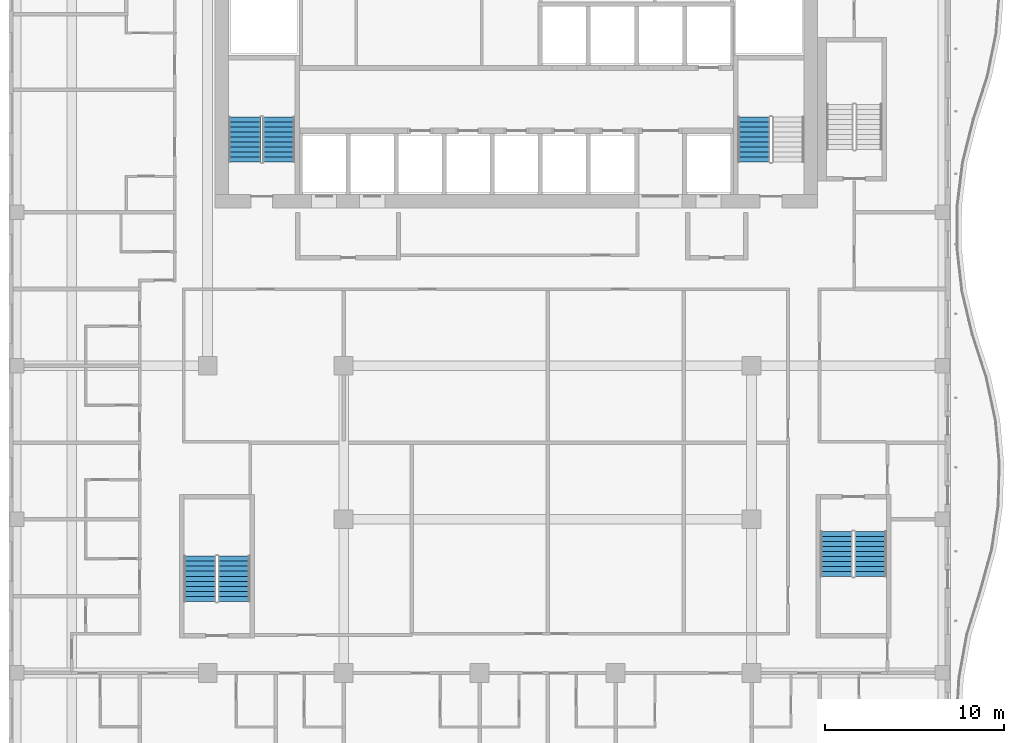
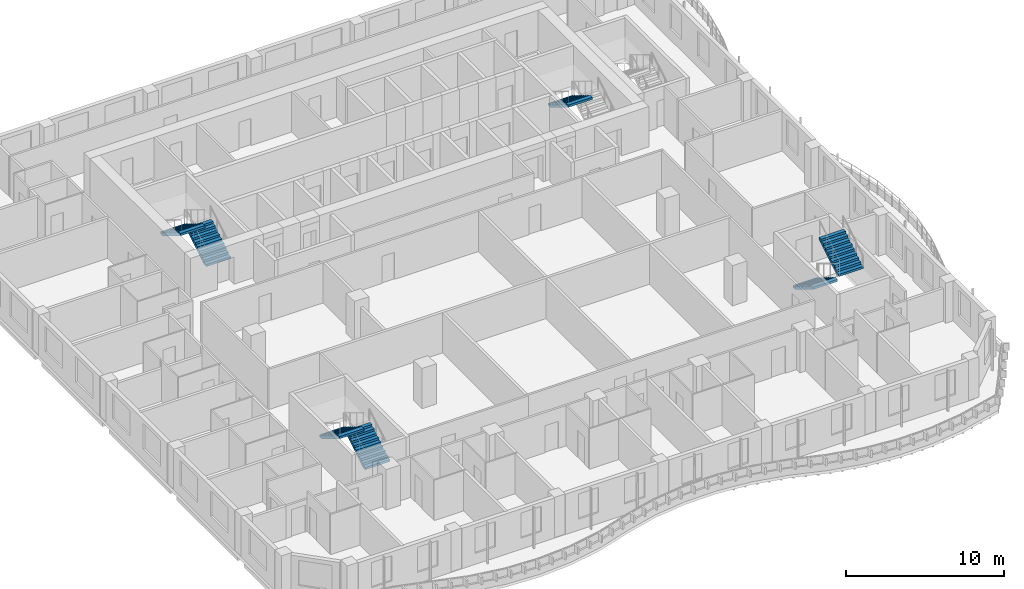
# One storey, part 11 of 21: 7 stair flights, 4 elements without a shape of their own.
"""IFC4 building model written with IfcOpenShell, lengths in metres."""

import ifcopenshell
import ifcopenshell.guid

model = None  # the IFC model being written
_history = None  # IfcOwnerHistory: only IFC2X3 demands one
_inside = {}  # id of a spatial element -> (the spatial element, [elements in it])
_under = {}  # id of a project, library or spatial element -> (it, [spatial elements below it])
_declared = {}  # id of a project -> (the project, [libraries it declares])
_typed = {}  # id of a type object -> (the type object, [elements of that type])
_made_of = {}  # id of a material, layer set ... -> (it, [elements and type objects made of it])


def new_model(schema):
    """Start an empty IFC model of exactly this schema.

    Asked for "IFC4X3", IfcOpenShell would pick the latest addendum, in which some entities
    have other attributes; the version numbers below select the first issue.
    IFC2X3 requires an IfcOwnerHistory on every rooted entity: one is made here for all.
    """
    global model, _history
    if schema == "IFC4X3":
        model = ifcopenshell.file(schema_version=(4, 3, 0, 0))
    else:
        model = ifcopenshell.file(schema=schema)
    _inside.clear()
    _under.clear()
    _declared.clear()
    _typed.clear()
    _made_of.clear()
    _history = None
    if model.schema == "IFC2X3":
        org = make("IfcOrganization", Name="unknown")
        user = make(
            "IfcPersonAndOrganization",
            ThePerson=make("IfcPerson", FamilyName="unknown"),
            TheOrganization=org,
        )
        app = make(
            "IfcApplication",
            ApplicationDeveloper=org,
            Version="unknown",
            ApplicationFullName="unknown",
            ApplicationIdentifier="unknown",
        )
        _history = make(
            "IfcOwnerHistory",
            OwningUser=user,
            OwningApplication=app,
            ChangeAction="ADDED",
            CreationDate=0,
        )
    return model


def make(cls, **values):
    """One entity of the class cls with the attributes given. An attribute that is None is left unset."""
    return model.create_entity(
        cls, **{name: value for name, value in values.items() if value is not None}
    )


def rooted(cls, **values):
    """An entity with a GlobalId (a new one), such as an element, a storey or a relation."""
    return make(cls, GlobalId=ifcopenshell.guid.new(), OwnerHistory=_history, **values)


def si_unit(unit_type, name, prefix=None):
    """IfcSIUnit, for example si_unit("LENGTHUNIT", "METRE", prefix="MILLI")."""
    return make("IfcSIUnit", UnitType=unit_type, Prefix=prefix, Name=name)


def assignment(units):
    """IfcUnitAssignment: the units of a project."""
    return None if units is None else make("IfcUnitAssignment", Units=units)


def point(xyz):
    """IfcCartesianPoint."""
    return None if xyz is None else make("IfcCartesianPoint", Coordinates=xyz)


def direction(xyz):
    """IfcDirection."""
    return None if xyz is None else make("IfcDirection", DirectionRatios=xyz)


def frame(location, z_axis=None, x_axis=None):
    """IfcAxis2Placement3D, a coordinate frame: its origin and axes. An axis left out is left unset."""
    return make(
        "IfcAxis2Placement3D",
        Location=point(location),
        Axis=direction(z_axis),
        RefDirection=direction(x_axis),
    )


def origin():
    """The frame at (0, 0, 0) with its axes left unset."""
    return frame((0.0, 0.0, 0.0))


def place(relative_to, where):
    """IfcLocalPlacement: puts the frame where relative to a parent placement (None: the world)."""
    return make(
        "IfcLocalPlacement", PlacementRelTo=relative_to, RelativePlacement=where
    )


def context(
    kind, dimensions, precision=None, world=None, true_north=None, identifier=None
):
    """IfcGeometricRepresentationContext, for example the 3D "Model" context."""
    return make(
        "IfcGeometricRepresentationContext",
        ContextIdentifier=identifier,
        ContextType=kind,
        CoordinateSpaceDimension=dimensions,
        Precision=precision,
        WorldCoordinateSystem=world,
        TrueNorth=true_north,
    )


def subcontext(parent, identifier, kind, view, scale=None):
    """IfcGeometricRepresentationSubContext, for example "Body" below "Model"."""
    return make(
        "IfcGeometricRepresentationSubContext",
        ContextIdentifier=identifier,
        ContextType=kind,
        ParentContext=parent,
        TargetScale=scale,
        TargetView=view,
    )


def project(units=None, contexts=None):
    """IfcProject with its units and contexts."""
    return rooted(
        "IfcProject",
        Name="project",
        RepresentationContexts=contexts,
        UnitsInContext=assignment(units),
    )


def spatial(cls, under=None, at=None, **own):
    """A site, building, storey or space (cls), placed at a placement, below another one or the project."""
    s = rooted(cls, ObjectPlacement=at, **own)
    if under is not None:
        _under.setdefault(under.id(), (under, []))[1].append(s)
    return s


def point_list(points):
    """IfcCartesianPointList2D or 3D."""
    cls = (
        "IfcCartesianPointList2D" if len(points[0]) == 2 else "IfcCartesianPointList3D"
    )
    return make(cls, CoordList=points)


def triangles(points, corners, closed=None, point_numbers=None):
    """IfcTriangulatedFaceSet: each triangle names its three corners, points numbered from 1."""
    return make(
        "IfcTriangulatedFaceSet",
        Coordinates=point_list(points),
        Closed=closed,
        CoordIndex=corners,
        PnIndex=point_numbers,
    )


def shape(context_of_items, identifier, shape_type, items):
    """IfcShapeRepresentation: the items that make up one representation, for example the "Body"."""
    return make(
        "IfcShapeRepresentation",
        ContextOfItems=context_of_items,
        RepresentationIdentifier=identifier,
        RepresentationType=shape_type,
        Items=items,
    )


def source(mapping_origin, context_of_items, identifier, shape_type, items):
    """IfcRepresentationMap: a shape defined once, which mapped items show again and again."""
    return make(
        "IfcRepresentationMap",
        MappingOrigin=mapping_origin,
        MappedRepresentation=shape(context_of_items, identifier, shape_type, items),
    )


def transform(
    local_origin,
    x_axis=None,
    y_axis=None,
    z_axis=None,
    scale=None,
    scale2=None,
    scale3=None,
    uniform=True,
):
    """IfcCartesianTransformationOperator3D, or its non-uniform kind. x_axis, y_axis, z_axis: its Axis1, 2, 3."""
    if uniform:
        return make(
            "IfcCartesianTransformationOperator3D",
            Axis1=direction(x_axis),
            Axis2=direction(y_axis),
            LocalOrigin=point(local_origin),
            Scale=scale,
            Axis3=direction(z_axis),
        )
    return make(
        "IfcCartesianTransformationOperator3DnonUniform",
        Axis1=direction(x_axis),
        Axis2=direction(y_axis),
        LocalOrigin=point(local_origin),
        Scale=scale,
        Axis3=direction(z_axis),
        Scale2=scale2,
        Scale3=scale3,
    )


def mapped(mapping_source, mapping_target):
    """IfcMappedItem: shows the shape of a source again, moved by a transform."""
    return make(
        "IfcMappedItem", MappingSource=mapping_source, MappingTarget=mapping_target
    )


def material(Name=None, Category=None):
    """IfcMaterial."""
    return make("IfcMaterial", Name=Name, Category=Category)


def made_of(thing, what):
    """Note that an element or type object is made of a material, layer set ...; save() writes the relation."""
    if what is not None:
        _made_of.setdefault(what.id(), (what, []))[1].append(thing)
    return thing


def type_object(cls, material=None, **own):
    """A type object (cls), such as IfcWallType, which elements share."""
    return made_of(rooted(cls, **own), material)


def element(
    cls,
    number,
    at=None,
    inside=None,
    cuts=None,
    type_object=None,
    material=None,
    context=None,
    identifier="Body",
    shape_type=None,
    held_by="IfcProductDefinitionShape",
    body=None,
    shapes=None,
    **own,
):
    """One element of the class cls, such as IfcWall. Its Tag is "e" and its number.

    at: its placement. inside: the storey or other place that contains it. cuts: it is an
    opening in that element (IfcRelVoidsElement). A single representation is given by context,
    identifier, shape_type and body (its items); several are given by shapes. held_by: the class
    of the entity that holds the representations. save() writes the other relations.
    """
    e = rooted(cls, Tag="e%d" % number, ObjectPlacement=at, **own)
    if body is not None:
        shapes = [shape(context, identifier, shape_type, body)]
    if shapes is not None:
        e.Representation = make(held_by, Representations=shapes)
    if inside is not None:
        _inside.setdefault(inside.id(), (inside, []))[1].append(e)
    if cuts is not None:
        rooted(
            "IfcRelVoidsElement", RelatingBuildingElement=cuts, RelatedOpeningElement=e
        )
    if type_object is not None:
        _typed.setdefault(type_object.id(), (type_object, []))[1].append(e)
    return made_of(e, material)


def aggregate(whole, parts):
    """IfcRelAggregates: a whole, such as a stair, and the parts it consists of."""
    return rooted("IfcRelAggregates", RelatingObject=whole, RelatedObjects=parts)


def save(model, path):
    """Write the relations noted so far, then the file.

    IfcRelAggregates (storeys below a building ...), IfcRelContainedInSpatialStructure (elements
    in a storey), IfcRelDefinesByType, IfcRelAssociatesMaterial and IfcRelDeclares: one each for
    every whole, place, type object, material and project.
    """
    for whole, parts in _under.values():
        aggregate(whole, parts)
    for where, things in _inside.values():
        rooted(
            "IfcRelContainedInSpatialStructure",
            RelatedElements=things,
            RelatingStructure=where,
        )
    for kind, things in _typed.values():
        rooted("IfcRelDefinesByType", RelatedObjects=things, RelatingType=kind)
    for what, things in _made_of.values():
        rooted("IfcRelAssociatesMaterial", RelatedObjects=things, RelatingMaterial=what)
    for by, libraries in _declared.values():
        rooted("IfcRelDeclares", RelatingContext=by, RelatedDefinitions=libraries)
    model.write(path)


model = new_model("IFC4")

# Units and contexts
model_context = context("Model", 3, precision=1e-05, world=origin(), true_north=direction((0.0, 1.0)))
body_context = subcontext(model_context, "Body", "Model", "MODEL_VIEW")
ifc_project = project(units=[si_unit("LENGTHUNIT", "METRE"), si_unit("AREAUNIT", "SQUARE_METRE"), si_unit("VOLUMEUNIT", "CUBIC_METRE"), si_unit("PLANEANGLEUNIT", "RADIAN"), si_unit("MASSUNIT", "GRAM", prefix="KILO")], contexts=[model_context])

# Site, building, storey
site_placement = place(None, origin())
site = spatial("IfcSite", under=ifc_project, at=site_placement, CompositionType="ELEMENT")
building_placement = place(site_placement, origin())
building = spatial("IfcBuilding", under=site, at=building_placement, Name="Kilnfold Tower and Market Hall", CompositionType="ELEMENT")
storey_placement = place(building_placement, frame((0.0, 0.0, 185.5)))
storey = spatial("IfcBuildingStorey", under=building, at=storey_placement, Name="L44", CompositionType="ELEMENT", Elevation=185.5)

# Stair, stair flights
ifc_material_1 = material(Name="Concrete C40/50", Category="concrete")
stair_type = type_object("IfcStairType", Name="CORE STAIR 1800", PredefinedType="HALF_TURN_STAIR", material=ifc_material_1)
stair_1_placement = place(storey_placement, origin())
stair_1 = element("IfcStair", 1, at=stair_1_placement, inside=storey, type_object=stair_type, Name="L44 ST1", PredefinedType="HALF_TURN_STAIR")
ifc_material_2 = material(Name="Concrete C40/50", Category="concrete")
stair_flight_type = type_object("IfcStairFlightType", Name="CORE STAIR FLIGHT 1800", PredefinedType="STRAIGHT", material=ifc_material_2)
shared_shape = source(origin(), body_context, "Body", "Tessellation", [
    triangles([(0.0, 0.89990234375, 0.0), (0.0, 0.78759765625, 0.0), (0.0, 0.675048828125, 0.0), (0.0, 0.5625, 0.0), (0.0, 0.449951171875, 0.0), (0.0, 0.33740234375, 0.0), (0.0, 0.22509765625, 0.0), (0.0, 0.112548828125, 0.0), (0.0, 0.0, 0.0), (0.0, -0.112548828125, 0.0), (0.0, -0.22509765625, 0.0), (0.0, -0.33740234375, 0.0), (0.0, -0.449951171875, 0.0), (0.0, -0.5625, 0.0), (0.0, -0.675048828125, 0.0), (0.0, -0.78759765625, 0.0), (0.0, -0.89990234375, 0.0), (0.0, 0.89990234375, 0.169921875), (0.0, 0.78759765625, 0.169921875), (0.0, 0.675048828125, 0.169921875), (0.0, 0.5625, 0.169921875), (0.0, 0.449951171875, 0.169921875), (0.0, 0.33740234375, 0.169921875), (0.0, 0.22509765625, 0.169921875), (0.0, 0.112548828125, 0.169921875), (0.0, 0.0, 0.169921875), (0.0, -0.112548828125, 0.169921875), (0.0, -0.22509765625, 0.169921875), (0.0, -0.33740234375, 0.169921875), (0.0, -0.449951171875, 0.169921875), (0.0, -0.5625, 0.169921875), (0.0, -0.675048828125, 0.169921875), (0.0, -0.78759765625, 0.169921875), (0.0, -0.89990234375, 0.169921875), (0.280029296875, 0.89990234375, 0.169921875), (0.280029296875, 0.78759765625, 0.169921875), (0.280029296875, 0.675048828125, 0.169921875), (0.280029296875, 0.5625, 0.169921875), (0.280029296875, 0.449951171875, 0.169921875), (0.280029296875, 0.33740234375, 0.169921875), (0.280029296875, 0.22509765625, 0.169921875), (0.280029296875, 0.112548828125, 0.169921875), (0.280029296875, 0.0, 0.169921875), (0.280029296875, -0.112548828125, 0.169921875), (0.280029296875, -0.22509765625, 0.169921875), (0.280029296875, -0.33740234375, 0.169921875), (0.280029296875, -0.449951171875, 0.169921875), (0.280029296875, -0.5625, 0.169921875), (0.280029296875, -0.675048828125, 0.169921875), (0.280029296875, -0.78759765625, 0.169921875), (0.280029296875, -0.89990234375, 0.169921875), (0.280029296875, 0.89990234375, 0.340087890625), (0.280029296875, 0.78759765625, 0.340087890625), (0.280029296875, 0.675048828125, 0.340087890625), (0.280029296875, 0.5625, 0.340087890625), (0.280029296875, 0.449951171875, 0.340087890625), (0.280029296875, 0.33740234375, 0.340087890625), (0.280029296875, 0.22509765625, 0.340087890625), (0.280029296875, 0.112548828125, 0.340087890625), (0.280029296875, 0.0, 0.340087890625), (0.280029296875, -0.112548828125, 0.340087890625), (0.280029296875, -0.22509765625, 0.340087890625), (0.280029296875, -0.33740234375, 0.340087890625), (0.280029296875, -0.449951171875, 0.340087890625), (0.280029296875, -0.5625, 0.340087890625), (0.280029296875, -0.675048828125, 0.340087890625), (0.280029296875, -0.78759765625, 0.340087890625), (0.280029296875, -0.89990234375, 0.340087890625), (0.56005859375, 0.89990234375, 0.340087890625), (0.56005859375, 0.78759765625, 0.340087890625), (0.56005859375, 0.675048828125, 0.340087890625), (0.56005859375, 0.5625, 0.340087890625), (0.56005859375, 0.449951171875, 0.340087890625), (0.56005859375, 0.33740234375, 0.340087890625), (0.56005859375, 0.22509765625, 0.340087890625), (0.56005859375, 0.112548828125, 0.340087890625), (0.56005859375, 0.0, 0.340087890625), (0.56005859375, -0.112548828125, 0.340087890625), (0.56005859375, -0.22509765625, 0.340087890625), (0.56005859375, -0.33740234375, 0.340087890625), (0.56005859375, -0.449951171875, 0.340087890625), (0.56005859375, -0.5625, 0.340087890625), (0.56005859375, -0.675048828125, 0.340087890625), (0.56005859375, -0.78759765625, 0.340087890625), (0.56005859375, -0.89990234375, 0.340087890625), (0.56005859375, 0.89990234375, 0.510009765625), (0.56005859375, 0.78759765625, 0.510009765625), (0.56005859375, 0.675048828125, 0.510009765625), (0.56005859375, 0.5625, 0.510009765625), (0.56005859375, 0.449951171875, 0.510009765625), (0.56005859375, 0.33740234375, 0.510009765625), (0.56005859375, 0.22509765625, 0.510009765625), (0.56005859375, 0.112548828125, 0.510009765625), (0.56005859375, 0.0, 0.510009765625), (0.56005859375, -0.112548828125, 0.510009765625), (0.56005859375, -0.22509765625, 0.510009765625), (0.56005859375, -0.33740234375, 0.510009765625), (0.56005859375, -0.449951171875, 0.510009765625), (0.56005859375, -0.5625, 0.510009765625), (0.56005859375, -0.675048828125, 0.510009765625), (0.56005859375, -0.78759765625, 0.510009765625), (0.56005859375, -0.89990234375, 0.510009765625), (0.840087890625, 0.89990234375, 0.510009765625), (0.840087890625, 0.78759765625, 0.510009765625), (0.840087890625, 0.675048828125, 0.510009765625), (0.840087890625, 0.5625, 0.510009765625), (0.840087890625, 0.449951171875, 0.510009765625), (0.840087890625, 0.33740234375, 0.510009765625), (0.840087890625, 0.22509765625, 0.510009765625), (0.840087890625, 0.112548828125, 0.510009765625), (0.840087890625, 0.0, 0.510009765625), (0.840087890625, -0.112548828125, 0.510009765625), (0.840087890625, -0.22509765625, 0.510009765625), (0.840087890625, -0.33740234375, 0.510009765625), (0.840087890625, -0.449951171875, 0.510009765625), (0.840087890625, -0.5625, 0.510009765625), (0.840087890625, -0.675048828125, 0.510009765625), (0.840087890625, -0.78759765625, 0.510009765625), (0.840087890625, -0.89990234375, 0.510009765625), (0.840087890625, 0.89990234375, 0.679931640625), (0.840087890625, 0.78759765625, 0.679931640625), (0.840087890625, 0.675048828125, 0.679931640625), (0.840087890625, 0.5625, 0.679931640625), (0.840087890625, 0.449951171875, 0.679931640625), (0.840087890625, 0.33740234375, 0.679931640625), (0.840087890625, 0.22509765625, 0.679931640625), (0.840087890625, 0.112548828125, 0.679931640625), (0.840087890625, 0.0, 0.679931640625), (0.840087890625, -0.112548828125, 0.679931640625), (0.840087890625, -0.22509765625, 0.679931640625), (0.840087890625, -0.33740234375, 0.679931640625), (0.840087890625, -0.449951171875, 0.679931640625), (0.840087890625, -0.5625, 0.679931640625), (0.840087890625, -0.675048828125, 0.679931640625), (0.840087890625, -0.78759765625, 0.679931640625), (0.840087890625, -0.89990234375, 0.679931640625), (1.1201171875, 0.89990234375, 0.679931640625), (1.1201171875, 0.78759765625, 0.679931640625), (1.1201171875, 0.675048828125, 0.679931640625), (1.1201171875, 0.5625, 0.679931640625), (1.1201171875, 0.449951171875, 0.679931640625), (1.1201171875, 0.33740234375, 0.679931640625), (1.1201171875, 0.22509765625, 0.679931640625), (1.1201171875, 0.112548828125, 0.679931640625), (1.1201171875, 0.0, 0.679931640625), (1.1201171875, -0.112548828125, 0.679931640625), (1.1201171875, -0.22509765625, 0.679931640625), (1.1201171875, -0.33740234375, 0.679931640625), (1.1201171875, -0.449951171875, 0.679931640625), (1.1201171875, -0.5625, 0.679931640625), (1.1201171875, -0.675048828125, 0.679931640625), (1.1201171875, -0.78759765625, 0.679931640625), (1.1201171875, -0.89990234375, 0.679931640625), (1.1201171875, 0.89990234375, 0.85009765625), (1.1201171875, 0.78759765625, 0.85009765625), (1.1201171875, 0.675048828125, 0.85009765625), (1.1201171875, 0.5625, 0.85009765625), (1.1201171875, 0.449951171875, 0.85009765625), (1.1201171875, 0.33740234375, 0.85009765625), (1.1201171875, 0.22509765625, 0.85009765625), (1.1201171875, 0.112548828125, 0.85009765625), (1.1201171875, 0.0, 0.85009765625), (1.1201171875, -0.112548828125, 0.85009765625), (1.1201171875, -0.22509765625, 0.85009765625), (1.1201171875, -0.33740234375, 0.85009765625), (1.1201171875, -0.449951171875, 0.85009765625), (1.1201171875, -0.5625, 0.85009765625), (1.1201171875, -0.675048828125, 0.85009765625), (1.1201171875, -0.78759765625, 0.85009765625), (1.1201171875, -0.89990234375, 0.85009765625), (1.39990234375, 0.89990234375, 0.85009765625), (1.39990234375, 0.78759765625, 0.85009765625), (1.39990234375, 0.675048828125, 0.85009765625), (1.39990234375, 0.5625, 0.85009765625), (1.39990234375, 0.449951171875, 0.85009765625), (1.39990234375, 0.33740234375, 0.85009765625), (1.39990234375, 0.22509765625, 0.85009765625), (1.39990234375, 0.112548828125, 0.85009765625), (1.39990234375, 0.0, 0.85009765625), (1.39990234375, -0.112548828125, 0.85009765625), (1.39990234375, -0.22509765625, 0.85009765625), (1.39990234375, -0.33740234375, 0.85009765625), (1.39990234375, -0.449951171875, 0.85009765625), (1.39990234375, -0.5625, 0.85009765625), (1.39990234375, -0.675048828125, 0.85009765625), (1.39990234375, -0.78759765625, 0.85009765625), (1.39990234375, -0.89990234375, 0.85009765625), (1.39990234375, 0.89990234375, 1.02001953125), (1.39990234375, 0.78759765625, 1.02001953125), (1.39990234375, 0.675048828125, 1.02001953125), (1.39990234375, 0.5625, 1.02001953125), (1.39990234375, 0.449951171875, 1.02001953125), (1.39990234375, 0.33740234375, 1.02001953125), (1.39990234375, 0.22509765625, 1.02001953125), (1.39990234375, 0.112548828125, 1.02001953125), (1.39990234375, 0.0, 1.02001953125), (1.39990234375, -0.112548828125, 1.02001953125), (1.39990234375, -0.22509765625, 1.02001953125), (1.39990234375, -0.33740234375, 1.02001953125), (1.39990234375, -0.449951171875, 1.02001953125), (1.39990234375, -0.5625, 1.02001953125), (1.39990234375, -0.675048828125, 1.02001953125), (1.39990234375, -0.78759765625, 1.02001953125), (1.39990234375, -0.89990234375, 1.02001953125), (1.679931640625, 0.89990234375, 1.02001953125), (1.679931640625, 0.78759765625, 1.02001953125), (1.679931640625, 0.675048828125, 1.02001953125), (1.679931640625, 0.5625, 1.02001953125), (1.679931640625, 0.449951171875, 1.02001953125), (1.679931640625, 0.33740234375, 1.02001953125), (1.679931640625, 0.22509765625, 1.02001953125), (1.679931640625, 0.112548828125, 1.02001953125), (1.679931640625, 0.0, 1.02001953125), (1.679931640625, -0.112548828125, 1.02001953125), (1.679931640625, -0.22509765625, 1.02001953125), (1.679931640625, -0.33740234375, 1.02001953125), (1.679931640625, -0.449951171875, 1.02001953125), (1.679931640625, -0.5625, 1.02001953125), (1.679931640625, -0.675048828125, 1.02001953125), (1.679931640625, -0.78759765625, 1.02001953125), (1.679931640625, -0.89990234375, 1.02001953125), (1.679931640625, 0.89990234375, 1.18994140625), (1.679931640625, 0.78759765625, 1.18994140625), (1.679931640625, 0.675048828125, 1.18994140625), (1.679931640625, 0.5625, 1.18994140625), (1.679931640625, 0.449951171875, 1.18994140625), (1.679931640625, 0.33740234375, 1.18994140625), (1.679931640625, 0.22509765625, 1.18994140625), (1.679931640625, 0.112548828125, 1.18994140625), (1.679931640625, 0.0, 1.18994140625), (1.679931640625, -0.112548828125, 1.18994140625), (1.679931640625, -0.22509765625, 1.18994140625), (1.679931640625, -0.33740234375, 1.18994140625), (1.679931640625, -0.449951171875, 1.18994140625), (1.679931640625, -0.5625, 1.18994140625), (1.679931640625, -0.675048828125, 1.18994140625), (1.679931640625, -0.78759765625, 1.18994140625), (1.679931640625, -0.89990234375, 1.18994140625), (1.9599609375, 0.89990234375, 1.18994140625), (1.9599609375, 0.78759765625, 1.18994140625), (1.9599609375, 0.675048828125, 1.18994140625), (1.9599609375, 0.5625, 1.18994140625), (1.9599609375, 0.449951171875, 1.18994140625), (1.9599609375, 0.33740234375, 1.18994140625), (1.9599609375, 0.22509765625, 1.18994140625), (1.9599609375, 0.112548828125, 1.18994140625), (1.9599609375, 0.0, 1.18994140625), (1.9599609375, -0.112548828125, 1.18994140625), (1.9599609375, -0.22509765625, 1.18994140625), (1.9599609375, -0.33740234375, 1.18994140625), (1.9599609375, -0.449951171875, 1.18994140625), (1.9599609375, -0.5625, 1.18994140625), (1.9599609375, -0.675048828125, 1.18994140625), (1.9599609375, -0.78759765625, 1.18994140625), (1.9599609375, -0.89990234375, 1.18994140625), (1.9599609375, 0.89990234375, 1.360107421875), (1.9599609375, 0.78759765625, 1.360107421875), (1.9599609375, 0.675048828125, 1.360107421875), (1.9599609375, 0.5625, 1.360107421875), (1.9599609375, 0.449951171875, 1.360107421875), (1.9599609375, 0.33740234375, 1.360107421875), (1.9599609375, 0.22509765625, 1.360107421875), (1.9599609375, 0.112548828125, 1.360107421875), (1.9599609375, 0.0, 1.360107421875), (1.9599609375, -0.112548828125, 1.360107421875), (1.9599609375, -0.22509765625, 1.360107421875), (1.9599609375, -0.33740234375, 1.360107421875), (1.9599609375, -0.449951171875, 1.360107421875), (1.9599609375, -0.5625, 1.360107421875), (1.9599609375, -0.675048828125, 1.360107421875), (1.9599609375, -0.78759765625, 1.360107421875), (1.9599609375, -0.89990234375, 1.360107421875), (2.239990234375, 0.89990234375, 1.360107421875), (2.239990234375, 0.78759765625, 1.360107421875), (2.239990234375, 0.675048828125, 1.360107421875), (2.239990234375, 0.5625, 1.360107421875), (2.239990234375, 0.449951171875, 1.360107421875), (2.239990234375, 0.33740234375, 1.360107421875), (2.239990234375, 0.22509765625, 1.360107421875), (2.239990234375, 0.112548828125, 1.360107421875), (2.239990234375, 0.0, 1.360107421875), (2.239990234375, -0.112548828125, 1.360107421875), (2.239990234375, -0.22509765625, 1.360107421875), (2.239990234375, -0.33740234375, 1.360107421875), (2.239990234375, -0.449951171875, 1.360107421875), (2.239990234375, -0.5625, 1.360107421875), (2.239990234375, -0.675048828125, 1.360107421875), (2.239990234375, -0.78759765625, 1.360107421875), (2.239990234375, -0.89990234375, 1.360107421875), (2.239990234375, 0.89990234375, 1.530029296875), (2.239990234375, 0.78759765625, 1.530029296875), (2.239990234375, 0.675048828125, 1.530029296875), (2.239990234375, 0.5625, 1.530029296875), (2.239990234375, 0.449951171875, 1.530029296875), (2.239990234375, 0.33740234375, 1.530029296875), (2.239990234375, 0.22509765625, 1.530029296875), (2.239990234375, 0.112548828125, 1.530029296875), (2.239990234375, 0.0, 1.530029296875), (2.239990234375, -0.112548828125, 1.530029296875), (2.239990234375, -0.22509765625, 1.530029296875), (2.239990234375, -0.33740234375, 1.530029296875), (2.239990234375, -0.449951171875, 1.530029296875), (2.239990234375, -0.5625, 1.530029296875), (2.239990234375, -0.675048828125, 1.530029296875), (2.239990234375, -0.78759765625, 1.530029296875), (2.239990234375, -0.89990234375, 1.530029296875), (2.52001953125, 0.89990234375, 1.530029296875), (2.52001953125, 0.78759765625, 1.530029296875), (2.52001953125, 0.675048828125, 1.530029296875), (2.52001953125, 0.5625, 1.530029296875), (2.52001953125, 0.449951171875, 1.530029296875), (2.52001953125, 0.33740234375, 1.530029296875), (2.52001953125, 0.22509765625, 1.530029296875), (2.52001953125, 0.112548828125, 1.530029296875), (2.52001953125, 0.0, 1.530029296875), (2.52001953125, -0.112548828125, 1.530029296875), (2.52001953125, -0.22509765625, 1.530029296875), (2.52001953125, -0.33740234375, 1.530029296875), (2.52001953125, -0.449951171875, 1.530029296875), (2.52001953125, -0.5625, 1.530029296875), (2.52001953125, -0.675048828125, 1.530029296875), (2.52001953125, -0.78759765625, 1.530029296875), (2.52001953125, -0.89990234375, 1.530029296875), (2.52001953125, 0.89990234375, 1.354736328125), (2.52001953125, 0.78759765625, 1.354736328125), (2.52001953125, 0.675048828125, 1.354736328125), (2.52001953125, 0.5625, 1.354736328125), (2.52001953125, 0.449951171875, 1.354736328125), (2.52001953125, 0.33740234375, 1.354736328125), (2.52001953125, 0.22509765625, 1.354736328125), (2.52001953125, 0.112548828125, 1.354736328125), (2.52001953125, 0.0, 1.354736328125), (2.52001953125, -0.112548828125, 1.354736328125), (2.52001953125, -0.22509765625, 1.354736328125), (2.52001953125, -0.33740234375, 1.354736328125), (2.52001953125, -0.449951171875, 1.354736328125), (2.52001953125, -0.5625, 1.354736328125), (2.52001953125, -0.675048828125, 1.354736328125), (2.52001953125, -0.78759765625, 1.354736328125), (2.52001953125, -0.89990234375, 1.354736328125), (0.288818359375, 0.89990234375, 0.0), (0.288818359375, 0.78759765625, 0.0), (0.288818359375, 0.675048828125, 0.0), (0.288818359375, 0.5625, 0.0), (0.288818359375, 0.449951171875, 0.0), (0.288818359375, 0.33740234375, 0.0), (0.288818359375, 0.22509765625, 0.0), (0.288818359375, 0.112548828125, 0.0), (0.288818359375, 0.0, 0.0), (0.288818359375, -0.112548828125, 0.0), (0.288818359375, -0.22509765625, 0.0), (0.288818359375, -0.33740234375, 0.0), (0.288818359375, -0.449951171875, 0.0), (0.288818359375, -0.5625, 0.0), (0.288818359375, -0.675048828125, 0.0), (0.288818359375, -0.78759765625, 0.0), (0.288818359375, -0.89990234375, 0.0)], [[1, 324, 341], [17, 357, 340], [324, 290, 307], [340, 323, 306], [324, 273, 290], [340, 306, 289], [324, 256, 273], [340, 289, 272], [324, 239, 256], [340, 272, 255], [239, 205, 222], [255, 238, 221], [324, 205, 239], [340, 255, 221], [205, 171, 188], [221, 204, 187], [324, 171, 205], [340, 221, 187], [171, 137, 154], [187, 170, 153], [324, 137, 171], [340, 187, 153], [137, 103, 120], [153, 136, 119], [324, 103, 137], [340, 153, 119], [103, 69, 86], [119, 102, 85], [324, 69, 103], [340, 119, 85], [69, 35, 52], [85, 68, 51], [324, 35, 69], [340, 85, 51], [1, 35, 324], [17, 340, 51], [35, 1, 18], [51, 34, 17], [1, 19, 18], [1, 2, 19], [2, 20, 19], [2, 3, 20], [3, 21, 20], [3, 4, 21], [4, 22, 21], [4, 5, 22], [5, 23, 22], [5, 6, 23], [6, 24, 23], [6, 7, 24], [7, 25, 24], [7, 8, 25], [8, 26, 25], [8, 9, 26], [9, 27, 26], [9, 10, 27], [10, 28, 27], [10, 11, 28], [11, 29, 28], [11, 12, 29], [12, 30, 29], [12, 13, 30], [13, 31, 30], [13, 14, 31], [14, 32, 31], [14, 15, 32], [15, 33, 32], [15, 16, 33], [16, 34, 33], [16, 17, 34], [18, 36, 35], [18, 19, 36], [19, 37, 36], [19, 20, 37], [20, 38, 37], [20, 21, 38], [21, 39, 38], [21, 22, 39], [22, 40, 39], [22, 23, 40], [23, 41, 40], [23, 24, 41], [24, 42, 41], [24, 25, 42], [25, 43, 42], [25, 26, 43], [26, 44, 43], [26, 27, 44], [27, 45, 44], [27, 28, 45], [28, 46, 45], [28, 29, 46], [29, 47, 46], [29, 30, 47], [30, 48, 47], [30, 31, 48], [31, 49, 48], [31, 32, 49], [32, 50, 49], [32, 33, 50], [33, 51, 50], [33, 34, 51], [35, 53, 52], [35, 36, 53], [36, 54, 53], [36, 37, 54], [37, 55, 54], [37, 38, 55], [38, 56, 55], [38, 39, 56], [39, 57, 56], [39, 40, 57], [40, 58, 57], [40, 41, 58], [41, 59, 58], [41, 42, 59], [42, 60, 59], [42, 43, 60], [43, 61, 60], [43, 44, 61], [44, 62, 61], [44, 45, 62], [45, 63, 62], [45, 46, 63], [46, 64, 63], [46, 47, 64], [47, 65, 64], [47, 48, 65], [48, 66, 65], [48, 49, 66], [49, 67, 66], [49, 50, 67], [50, 68, 67], [50, 51, 68], [52, 70, 69], [52, 53, 70], [53, 71, 70], [53, 54, 71], [54, 72, 71], [54, 55, 72], [55, 73, 72], [55, 56, 73], [56, 74, 73], [56, 57, 74], [57, 75, 74], [57, 58, 75], [58, 76, 75], [58, 59, 76], [59, 77, 76], [59, 60, 77], [60, 78, 77], [60, 61, 78], [61, 79, 78], [61, 62, 79], [62, 80, 79], [62, 63, 80], [63, 81, 80], [63, 64, 81], [64, 82, 81], [64, 65, 82], [65, 83, 82], [65, 66, 83], [66, 84, 83], [66, 67, 84], [67, 85, 84], [67, 68, 85], [69, 87, 86], [69, 70, 87], [70, 88, 87], [70, 71, 88], [71, 89, 88], [71, 72, 89], [72, 90, 89], [72, 73, 90], [73, 91, 90], [73, 74, 91], [74, 92, 91], [74, 75, 92], [75, 93, 92], [75, 76, 93], [76, 94, 93], [76, 77, 94], [77, 95, 94], [77, 78, 95], [78, 96, 95], [78, 79, 96], [79, 97, 96], [79, 80, 97], [80, 98, 97], [80, 81, 98], [81, 99, 98], [81, 82, 99], [82, 100, 99], [82, 83, 100], [83, 101, 100], [83, 84, 101], [84, 102, 101], [84, 85, 102], [86, 104, 103], [86, 87, 104], [87, 105, 104], [87, 88, 105], [88, 106, 105], [88, 89, 106], [89, 107, 106], [89, 90, 107], [90, 108, 107], [90, 91, 108], [91, 109, 108], [91, 92, 109], [92, 110, 109], [92, 93, 110], [93, 111, 110], [93, 94, 111], [94, 112, 111], [94, 95, 112], [95, 113, 112], [95, 96, 113], [96, 114, 113], [96, 97, 114], [97, 115, 114], [97, 98, 115], [98, 116, 115], [98, 99, 116], [99, 117, 116], [99, 100, 117], [100, 118, 117], [100, 101, 118], [101, 119, 118], [101, 102, 119], [103, 121, 120], [103, 104, 121], [104, 122, 121], [104, 105, 122], [105, 123, 122], [105, 106, 123], [106, 124, 123], [106, 107, 124], [107, 125, 124], [107, 108, 125], [108, 126, 125], [108, 109, 126], [109, 127, 126], [109, 110, 127], [110, 128, 127], [110, 111, 128], [111, 129, 128], [111, 112, 129], [112, 130, 129], [112, 113, 130], [113, 131, 130], [113, 114, 131], [114, 132, 131], [114, 115, 132], [115, 133, 132], [115, 116, 133], [116, 134, 133], [116, 117, 134], [117, 135, 134], [117, 118, 135], [118, 136, 135], [118, 119, 136], [120, 138, 137], [120, 121, 138], [121, 139, 138], [121, 122, 139], [122, 140, 139], [122, 123, 140], [123, 141, 140], [123, 124, 141], [124, 142, 141], [124, 125, 142], [125, 143, 142], [125, 126, 143], [126, 144, 143], [126, 127, 144], [127, 145, 144], [127, 128, 145], [128, 146, 145], [128, 129, 146], [129, 147, 146], [129, 130, 147], [130, 148, 147], [130, 131, 148], [131, 149, 148], [131, 132, 149], [132, 150, 149], [132, 133, 150], [133, 151, 150], [133, 134, 151], [134, 152, 151], [134, 135, 152], [135, 153, 152], [135, 136, 153], [137, 155, 154], [137, 138, 155], [138, 156, 155], [138, 139, 156], [139, 157, 156], [139, 140, 157], [140, 158, 157], [140, 141, 158], [141, 159, 158], [141, 142, 159], [142, 160, 159], [142, 143, 160], [143, 161, 160], [143, 144, 161], [144, 162, 161], [144, 145, 162], [145, 163, 162], [145, 146, 163], [146, 164, 163], [146, 147, 164], [147, 165, 164], [147, 148, 165], [148, 166, 165], [148, 149, 166], [149, 167, 166], [149, 150, 167], [150, 168, 167], [150, 151, 168], [151, 169, 168], [151, 152, 169], [152, 170, 169], [152, 153, 170], [154, 172, 171], [154, 155, 172], [155, 173, 172], [155, 156, 173], [156, 174, 173], [156, 157, 174], [157, 175, 174], [157, 158, 175], [158, 176, 175], [158, 159, 176], [159, 177, 176], [159, 160, 177], [160, 178, 177], [160, 161, 178], [161, 179, 178], [161, 162, 179], [162, 180, 179], [162, 163, 180], [163, 181, 180], [163, 164, 181], [164, 182, 181], [164, 165, 182], [165, 183, 182], [165, 166, 183], [166, 184, 183], [166, 167, 184], [167, 185, 184], [167, 168, 185], [168, 186, 185], [168, 169, 186], [169, 187, 186], [169, 170, 187], [171, 189, 188], [171, 172, 189], [172, 190, 189], [172, 173, 190], [173, 191, 190], [173, 174, 191], [174, 192, 191], [174, 175, 192], [175, 193, 192], [175, 176, 193], [176, 194, 193], [176, 177, 194], [177, 195, 194], [177, 178, 195], [178, 196, 195], [178, 179, 196], [179, 197, 196], [179, 180, 197], [180, 198, 197], [180, 181, 198], [181, 199, 198], [181, 182, 199], [182, 200, 199], [182, 183, 200], [183, 201, 200], [183, 184, 201], [184, 202, 201], [184, 185, 202], [185, 203, 202], [185, 186, 203], [186, 204, 203], [186, 187, 204], [188, 206, 205], [188, 189, 206], [189, 207, 206], [189, 190, 207], [190, 208, 207], [190, 191, 208], [191, 209, 208], [191, 192, 209], [192, 210, 209], [192, 193, 210], [193, 211, 210], [193, 194, 211], [194, 212, 211], [194, 195, 212], [195, 213, 212], [195, 196, 213], [196, 214, 213], [196, 197, 214], [197, 215, 214], [197, 198, 215], [198, 216, 215], [198, 199, 216], [199, 217, 216], [199, 200, 217], [200, 218, 217], [200, 201, 218], [201, 219, 218], [201, 202, 219], [202, 220, 219], [202, 203, 220], [203, 221, 220], [203, 204, 221], [205, 223, 222], [205, 206, 223], [206, 224, 223], [206, 207, 224], [207, 225, 224], [207, 208, 225], [208, 226, 225], [208, 209, 226], [209, 227, 226], [209, 210, 227], [210, 228, 227], [210, 211, 228], [211, 229, 228], [211, 212, 229], [212, 230, 229], [212, 213, 230], [213, 231, 230], [213, 214, 231], [214, 232, 231], [214, 215, 232], [215, 233, 232], [215, 216, 233], [216, 234, 233], [216, 217, 234], [217, 235, 234], [217, 218, 235], [218, 236, 235], [218, 219, 236], [219, 237, 236], [219, 220, 237], [220, 238, 237], [220, 221, 238], [222, 240, 239], [222, 223, 240], [223, 241, 240], [223, 224, 241], [224, 242, 241], [224, 225, 242], [225, 243, 242], [225, 226, 243], [226, 244, 243], [226, 227, 244], [227, 245, 244], [227, 228, 245], [228, 246, 245], [228, 229, 246], [229, 247, 246], [229, 230, 247], [230, 248, 247], [230, 231, 248], [231, 249, 248], [231, 232, 249], [232, 250, 249], [232, 233, 250], [233, 251, 250], [233, 234, 251], [234, 252, 251], [234, 235, 252], [235, 253, 252], [235, 236, 253], [236, 254, 253], [236, 237, 254], [237, 255, 254], [237, 238, 255], [239, 257, 256], [239, 240, 257], [240, 258, 257], [240, 241, 258], [241, 259, 258], [241, 242, 259], [242, 260, 259], [242, 243, 260], [243, 261, 260], [243, 244, 261], [244, 262, 261], [244, 245, 262], [245, 263, 262], [245, 246, 263], [246, 264, 263], [246, 247, 264], [247, 265, 264], [247, 248, 265], [248, 266, 265], [248, 249, 266], [249, 267, 266], [249, 250, 267], [250, 268, 267], [250, 251, 268], [251, 269, 268], [251, 252, 269], [252, 270, 269], [252, 253, 270], [253, 271, 270], [253, 254, 271], [254, 272, 271], [254, 255, 272], [256, 274, 273], [256, 257, 274], [257, 275, 274], [257, 258, 275], [258, 276, 275], [258, 259, 276], [259, 277, 276], [259, 260, 277], [260, 278, 277], [260, 261, 278], [261, 279, 278], [261, 262, 279], [262, 280, 279], [262, 263, 280], [263, 281, 280], [263, 264, 281], [264, 282, 281], [264, 265, 282], [265, 283, 282], [265, 266, 283], [266, 284, 283], [266, 267, 284], [267, 285, 284], [267, 268, 285], [268, 286, 285], [268, 269, 286], [269, 287, 286], [269, 270, 287], [270, 288, 287], [270, 271, 288], [271, 289, 288], [271, 272, 289], [273, 291, 290], [273, 274, 291], [274, 292, 291], [274, 275, 292], [275, 293, 292], [275, 276, 293], [276, 294, 293], [276, 277, 294], [277, 295, 294], [277, 278, 295], [278, 296, 295], [278, 279, 296], [279, 297, 296], [279, 280, 297], [280, 298, 297], [280, 281, 298], [281, 299, 298], [281, 282, 299], [282, 300, 299], [282, 283, 300], [283, 301, 300], [283, 284, 301], [284, 302, 301], [284, 285, 302], [285, 303, 302], [285, 286, 303], [286, 304, 303], [286, 287, 304], [287, 305, 304], [287, 288, 305], [288, 306, 305], [288, 289, 306], [290, 308, 307], [290, 291, 308], [291, 309, 308], [291, 292, 309], [292, 310, 309], [292, 293, 310], [293, 311, 310], [293, 294, 311], [294, 312, 311], [294, 295, 312], [295, 313, 312], [295, 296, 313], [296, 314, 313], [296, 297, 314], [297, 315, 314], [297, 298, 315], [298, 316, 315], [298, 299, 316], [299, 317, 316], [299, 300, 317], [300, 318, 317], [300, 301, 318], [301, 319, 318], [301, 302, 319], [302, 320, 319], [302, 303, 320], [303, 321, 320], [303, 304, 321], [304, 322, 321], [304, 305, 322], [305, 323, 322], [305, 306, 323], [307, 325, 324], [307, 308, 325], [308, 326, 325], [308, 309, 326], [309, 327, 326], [309, 310, 327], [310, 328, 327], [310, 311, 328], [311, 329, 328], [311, 312, 329], [312, 330, 329], [312, 313, 330], [313, 331, 330], [313, 314, 331], [314, 332, 331], [314, 315, 332], [315, 333, 332], [315, 316, 333], [316, 334, 333], [316, 317, 334], [317, 335, 334], [317, 318, 335], [318, 336, 335], [318, 319, 336], [319, 337, 336], [319, 320, 337], [320, 338, 337], [320, 321, 338], [321, 339, 338], [321, 322, 339], [322, 340, 339], [322, 323, 340], [324, 342, 341], [324, 325, 342], [325, 343, 342], [325, 326, 343], [326, 344, 343], [326, 327, 344], [327, 345, 344], [327, 328, 345], [328, 346, 345], [328, 329, 346], [329, 347, 346], [329, 330, 347], [330, 348, 347], [330, 331, 348], [331, 349, 348], [331, 332, 349], [332, 350, 349], [332, 333, 350], [333, 351, 350], [333, 334, 351], [334, 352, 351], [334, 335, 352], [335, 353, 352], [335, 336, 353], [336, 354, 353], [336, 337, 354], [337, 355, 354], [337, 338, 355], [338, 356, 355], [338, 339, 356], [339, 357, 356], [339, 340, 357], [341, 2, 1], [341, 342, 2], [342, 3, 2], [342, 343, 3], [343, 4, 3], [343, 344, 4], [344, 5, 4], [344, 345, 5], [345, 6, 5], [345, 346, 6], [346, 7, 6], [346, 347, 7], [347, 8, 7], [347, 348, 8], [348, 9, 8], [348, 349, 9], [349, 10, 9], [349, 350, 10], [350, 11, 10], [350, 351, 11], [351, 12, 11], [351, 352, 12], [352, 13, 12], [352, 353, 13], [353, 14, 13], [353, 354, 14], [354, 15, 14], [354, 355, 15], [355, 16, 15], [355, 356, 16], [356, 17, 16], [356, 357, 17]], closed=True),
])
stair_flight_1_placement = place(storey_placement, frame((-12.199951171875, 10.800048828125, 0.0), z_axis=(0.0, 0.0, 1.0), x_axis=(0.0, 1.0, 0.0)))
stair_flight_1 = element("IfcStairFlight", 2, at=stair_flight_1_placement, type_object=stair_flight_type, Name="ST1 flight 1", NumberOfRisers=10, NumberOfTreads=9, PredefinedType="STRAIGHT", RiserHeight=0.17, TreadLength=0.28, context=body_context, shape_type="MappedRepresentation", body=[
    mapped(shared_shape, transform((0.0, 0.0, 0.0))),
])
stair_flight_2_placement = place(storey_placement, frame((-14.10009765625, 13.320068359375, 1.699951171875), z_axis=(0.0, 0.0, 1.0), x_axis=(0.0, -1.0, 0.0)))
stair_flight_2 = element("IfcStairFlight", 3, at=stair_flight_2_placement, type_object=stair_flight_type, Name="ST1 flight 2", NumberOfRisers=10, NumberOfTreads=9, PredefinedType="STRAIGHT", RiserHeight=0.17, TreadLength=0.28, context=body_context, shape_type="MappedRepresentation", body=[
    mapped(shared_shape, transform((0.0, 0.0, 0.0))),
])
aggregate(stair_1, [stair_flight_1, stair_flight_2])

# Stair, stair flight
stair_2_placement = place(storey_placement, origin())
stair_2 = element("IfcStair", 4, at=stair_2_placement, inside=storey, type_object=stair_type, Name="L44 ST2", PredefinedType="HALF_TURN_STAIR")
stair_flight_3_placement = place(storey_placement, frame((14.300048828125, 13.320068359375, 1.699951171875), z_axis=(0.0, 0.0, 1.0), x_axis=(0.0, -1.0, 0.0)))
stair_flight_3 = element("IfcStairFlight", 5, at=stair_flight_3_placement, type_object=stair_flight_type, Name="ST2 flight 2", NumberOfRisers=10, NumberOfTreads=9, PredefinedType="STRAIGHT", RiserHeight=0.17, TreadLength=0.28, context=body_context, shape_type="MappedRepresentation", body=[
    mapped(shared_shape, transform((0.0, 0.0, 0.0))),
])
aggregate(stair_2, [stair_flight_3])

# Stair, stair flights
stair_3_placement = place(storey_placement, origin())
stair_3 = element("IfcStair", 6, at=stair_3_placement, inside=storey, type_object=stair_type, Name="L44 ST3", PredefinedType="HALF_TURN_STAIR")
stair_flight_4_placement = place(storey_placement, frame((-14.699951171875, -13.699951171875, 0.0), z_axis=(0.0, 0.0, 1.0), x_axis=(0.0, 1.0, 0.0)))
stair_flight_4 = element("IfcStairFlight", 7, at=stair_flight_4_placement, type_object=stair_flight_type, Name="ST3 flight 1", NumberOfRisers=10, NumberOfTreads=9, PredefinedType="STRAIGHT", RiserHeight=0.17, TreadLength=0.28, context=body_context, shape_type="MappedRepresentation", body=[
    mapped(shared_shape, transform((0.0, 0.0, 0.0))),
])
stair_flight_5_placement = place(storey_placement, frame((-16.60009765625, -11.179931640625, 1.699951171875), z_axis=(0.0, 0.0, 1.0), x_axis=(0.0, -1.0, 0.0)))
stair_flight_5 = element("IfcStairFlight", 8, at=stair_flight_5_placement, type_object=stair_flight_type, Name="ST3 flight 2", NumberOfRisers=10, NumberOfTreads=9, PredefinedType="STRAIGHT", RiserHeight=0.17, TreadLength=0.28, context=body_context, shape_type="MappedRepresentation", body=[
    mapped(shared_shape, transform((0.0, 0.0, 0.0))),
])
aggregate(stair_3, [stair_flight_4, stair_flight_5])

stair_4_placement = place(storey_placement, origin())
stair_4 = element("IfcStair", 9, at=stair_4_placement, inside=storey, type_object=stair_type, Name="L44 ST4", PredefinedType="HALF_TURN_STAIR")
stair_flight_6_placement = place(storey_placement, frame((18.89990234375, -9.800048828125, 0.0), z_axis=(0.0, 0.0, 1.0), x_axis=(0.0, -1.0, 0.0)))
stair_flight_6 = element("IfcStairFlight", 10, at=stair_flight_6_placement, type_object=stair_flight_type, Name="ST4 flight 1", NumberOfRisers=10, NumberOfTreads=9, PredefinedType="STRAIGHT", RiserHeight=0.17, TreadLength=0.28, context=body_context, shape_type="MappedRepresentation", body=[
    mapped(shared_shape, transform((0.0, 0.0, 0.0))),
])
stair_flight_7_placement = place(storey_placement, frame((20.800048828125, -12.320068359375, 1.699951171875), z_axis=(0.0, 0.0, 1.0), x_axis=(0.0, 1.0, 0.0)))
stair_flight_7 = element("IfcStairFlight", 11, at=stair_flight_7_placement, type_object=stair_flight_type, Name="ST4 flight 2", NumberOfRisers=10, NumberOfTreads=9, PredefinedType="STRAIGHT", RiserHeight=0.17, TreadLength=0.28, context=body_context, shape_type="MappedRepresentation", body=[
    mapped(shared_shape, transform((0.0, 0.0, 0.0))),
])
aggregate(stair_4, [stair_flight_6, stair_flight_7])

save(model, "model.ifc")
